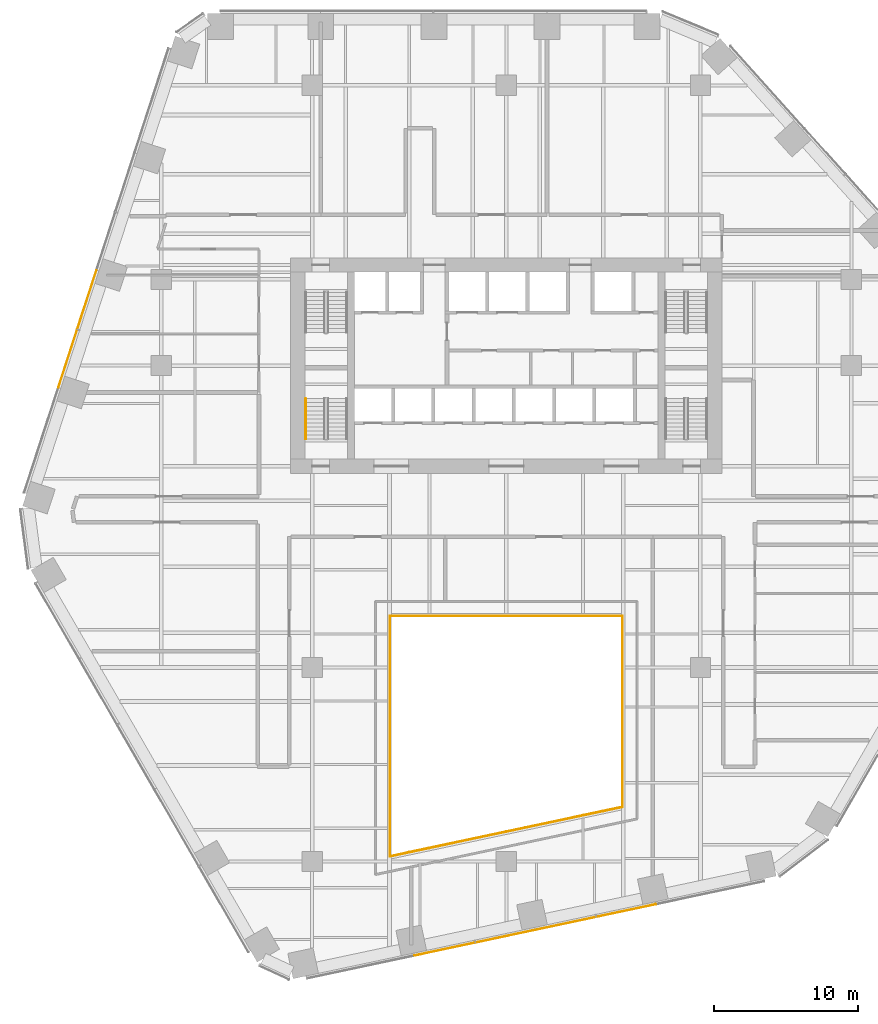
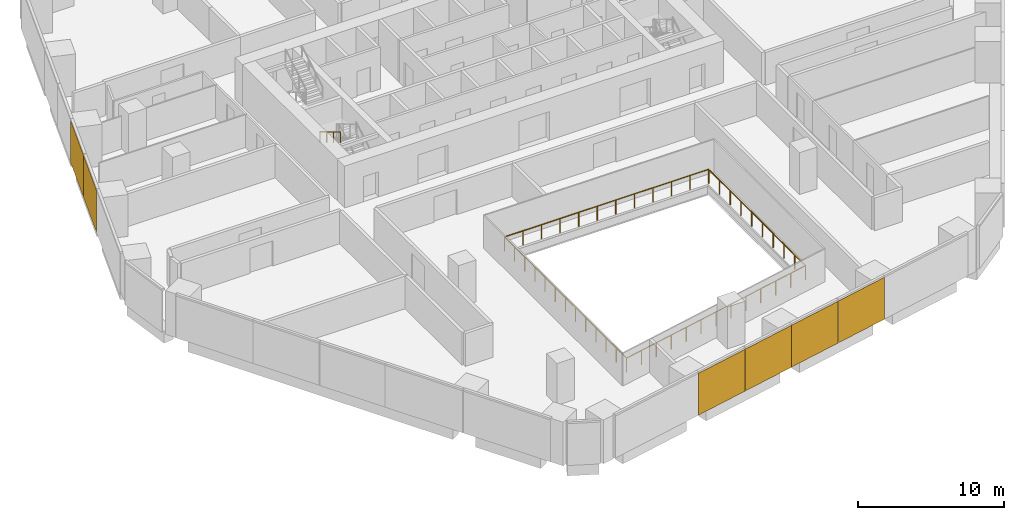
# One storey, part 18 of 20: 6 coverings, 5 railings, 2 elements without a shape of their own.
"""IFC4 building model written with IfcOpenShell, lengths in metres."""

from ifc_helpers import new_model, si_unit, direction, frame, origin, origin_2d, place, context, subcontext, project, spatial, rectangle, circle, extrude, material, layer, layer_set, type_object, element, aggregate, save


model = new_model("IFC4")

# Units and contexts
model_context = context("Model", 3, precision=1e-05, world=origin(), true_north=direction((0.0, 1.0)))
body_context = subcontext(model_context, "Body", "Model", "MODEL_VIEW")
ifc_project = project(units=[si_unit("LENGTHUNIT", "METRE"), si_unit("AREAUNIT", "SQUARE_METRE"), si_unit("VOLUMEUNIT", "CUBIC_METRE"), si_unit("PLANEANGLEUNIT", "RADIAN"), si_unit("MASSUNIT", "GRAM", prefix="KILO")], contexts=[model_context])

# Site, building, storey
site_placement = place(None, origin())
site = spatial("IfcSite", under=ifc_project, at=site_placement, CompositionType="ELEMENT")
building_placement = place(site_placement, origin())
building = spatial("IfcBuilding", under=site, at=building_placement, Name="Isthmus Gate Tower", CompositionType="ELEMENT")
storey_placement = place(building_placement, frame((0.0, 0.0, 61.550048828125)))
storey = spatial("IfcBuildingStorey", under=building, at=storey_placement, Name="L13", CompositionType="ELEMENT", Elevation=61.550048828125)

# Railings
ifc_material_1 = material(Name="Laminated toughened glass balustrade with steel rail", Category="steel")
railing_type_1 = type_object("IfcRailingType", Name="ATRIUM GUARD GLASS BALUSTRADE 1200", PredefinedType="GUARDRAIL", material=ifc_material_1)
railing_1_placement = place(storey_placement, frame((-8.080078125, -26.642822265625, 0.0)))
element("IfcRailing", 1, at=railing_1_placement, inside=storey, type_object=railing_type_1, Name="L13 atrium guard", PredefinedType="GUARDRAIL", context=body_context, shape_type="SweptSolid", body=[
    extrude(circle(Radius=0.02490234375, at=origin_2d()), frame((0.0, 0.0, 1.1748046875), z_axis=(0.0, 1.0, 0.0), x_axis=(-1.0, 0.0, 0.0)), (0.0, 0.0, 1.0), 16.722900390625),
    extrude(circle(Radius=0.02490234375, at=origin_2d()), origin(), (0.0, 0.0, 1.0), 1.14990234375),
    extrude(circle(Radius=0.02490234375, at=origin_2d()), frame((0.0, 1.3935546875, 0.0)), (0.0, 0.0, 1.0), 1.14990234375),
    extrude(circle(Radius=0.02490234375, at=origin_2d()), frame((0.0, 2.787109375, 0.0)), (0.0, 0.0, 1.0), 1.14990234375),
    extrude(circle(Radius=0.02490234375, at=origin_2d()), frame((0.0, 4.1806640625, 0.0)), (0.0, 0.0, 1.0), 1.14990234375),
    extrude(circle(Radius=0.02490234375, at=origin_2d()), frame((0.0, 5.57421875, 0.0)), (0.0, 0.0, 1.0), 1.14990234375),
    extrude(circle(Radius=0.02490234375, at=origin_2d()), frame((0.0, 6.9677734375, 0.0)), (0.0, 0.0, 1.0), 1.14990234375),
    extrude(circle(Radius=0.02490234375, at=origin_2d()), frame((0.0, 8.361328125, 0.0)), (0.0, 0.0, 1.0), 1.14990234375),
    extrude(circle(Radius=0.02490234375, at=origin_2d()), frame((0.0, 9.755126953125, 0.0)), (0.0, 0.0, 1.0), 1.14990234375),
    extrude(circle(Radius=0.02490234375, at=origin_2d()), frame((0.0, 11.148681640625, 0.0)), (0.0, 0.0, 1.0), 1.14990234375),
    extrude(circle(Radius=0.02490234375, at=origin_2d()), frame((0.0, 12.542236328125, 0.0)), (0.0, 0.0, 1.0), 1.14990234375),
    extrude(circle(Radius=0.02490234375, at=origin_2d()), frame((0.0, 13.935791015625, 0.0)), (0.0, 0.0, 1.0), 1.14990234375),
    extrude(circle(Radius=0.02490234375, at=origin_2d()), frame((0.0, 15.329345703125, 0.0)), (0.0, 0.0, 1.0), 1.14990234375),
    extrude(circle(Radius=0.02490234375, at=origin_2d()), frame((0.0, 16.722900390625, 0.0)), (0.0, 0.0, 1.0), 1.14990234375),
])
railing_2_placement = place(storey_placement, frame((-8.080078125, -9.919921875, 0.0)))
element("IfcRailing", 2, at=railing_2_placement, inside=storey, type_object=railing_type_1, Name="L13 atrium guard", PredefinedType="GUARDRAIL", context=body_context, shape_type="SweptSolid", body=[
    extrude(circle(Radius=0.02490234375, at=origin_2d()), frame((0.0, 0.0, 1.1748046875), z_axis=(1.0, 0.0, 0.0), x_axis=(0.0, 1.0, 0.0)), (0.0, 0.0, 1.0), 16.16015625),
    extrude(circle(Radius=0.02490234375, at=origin_2d()), origin(), (0.0, 0.0, 1.0), 1.14990234375),
    extrude(circle(Radius=0.02490234375, at=origin_2d()), frame((1.468994140625, 0.0, 0.0)), (0.0, 0.0, 1.0), 1.14990234375),
    extrude(circle(Radius=0.02490234375, at=origin_2d()), frame((2.938232421875, 0.0, 0.0)), (0.0, 0.0, 1.0), 1.14990234375),
    extrude(circle(Radius=0.02490234375, at=origin_2d()), frame((4.4072265625, 0.0, 0.0)), (0.0, 0.0, 1.0), 1.14990234375),
    extrude(circle(Radius=0.02490234375, at=origin_2d()), frame((5.87646484375, 0.0, 0.0)), (0.0, 0.0, 1.0), 1.14990234375),
    extrude(circle(Radius=0.02490234375, at=origin_2d()), frame((7.345458984375, 0.0, 0.0)), (0.0, 0.0, 1.0), 1.14990234375),
    extrude(circle(Radius=0.02490234375, at=origin_2d()), frame((8.814697265625, 0.0, 0.0)), (0.0, 0.0, 1.0), 1.14990234375),
    extrude(circle(Radius=0.02490234375, at=origin_2d()), frame((10.28369140625, 0.0, 0.0)), (0.0, 0.0, 1.0), 1.14990234375),
    extrude(circle(Radius=0.02490234375, at=origin_2d()), frame((11.7529296875, 0.0, 0.0)), (0.0, 0.0, 1.0), 1.14990234375),
    extrude(circle(Radius=0.02490234375, at=origin_2d()), frame((13.221923828125, 0.0, 0.0)), (0.0, 0.0, 1.0), 1.14990234375),
    extrude(circle(Radius=0.02490234375, at=origin_2d()), frame((14.691162109375, 0.0, 0.0)), (0.0, 0.0, 1.0), 1.14990234375),
    extrude(circle(Radius=0.02490234375, at=origin_2d()), frame((16.16015625, 0.0, 0.0)), (0.0, 0.0, 1.0), 1.14990234375),
])
railing_3_placement = place(storey_placement, frame((8.080078125, -9.919921875, 0.0)))
element("IfcRailing", 3, at=railing_3_placement, inside=storey, type_object=railing_type_1, Name="L13 atrium guard", PredefinedType="GUARDRAIL", context=body_context, shape_type="SweptSolid", body=[
    extrude(circle(Radius=0.02490234375, at=origin_2d()), frame((0.0, 0.0, 1.1748046875), z_axis=(0.0, -1.0, 0.0), x_axis=(1.0, 0.0, 0.0)), (0.0, 0.0, 1.0), 13.2880859375),
    extrude(circle(Radius=0.02490234375, at=origin_2d()), origin(), (0.0, 0.0, 1.0), 1.14990234375),
    extrude(circle(Radius=0.02490234375, at=origin_2d()), frame((0.0, -1.4765625, 0.0)), (0.0, 0.0, 1.0), 1.14990234375),
    extrude(circle(Radius=0.02490234375, at=origin_2d()), frame((0.0, -2.952880859375, 0.0)), (0.0, 0.0, 1.0), 1.14990234375),
    extrude(circle(Radius=0.02490234375, at=origin_2d()), frame((0.0, -4.429443359375, 0.0)), (0.0, 0.0, 1.0), 1.14990234375),
    extrude(circle(Radius=0.02490234375, at=origin_2d()), frame((0.0, -5.90576171875, 0.0)), (0.0, 0.0, 1.0), 1.14990234375),
    extrude(circle(Radius=0.02490234375, at=origin_2d()), frame((0.0, -7.38232421875, 0.0)), (0.0, 0.0, 1.0), 1.14990234375),
    extrude(circle(Radius=0.02490234375, at=origin_2d()), frame((0.0, -8.858642578125, 0.0)), (0.0, 0.0, 1.0), 1.14990234375),
    extrude(circle(Radius=0.02490234375, at=origin_2d()), frame((0.0, -10.335205078125, 0.0)), (0.0, 0.0, 1.0), 1.14990234375),
    extrude(circle(Radius=0.02490234375, at=origin_2d()), frame((0.0, -11.8115234375, 0.0)), (0.0, 0.0, 1.0), 1.14990234375),
    extrude(circle(Radius=0.02490234375, at=origin_2d()), frame((0.0, -13.2880859375, 0.0)), (0.0, 0.0, 1.0), 1.14990234375),
])
railing_4_placement = place(storey_placement, frame((8.080078125, -23.2080078125, 0.0)))
element("IfcRailing", 4, at=railing_4_placement, inside=storey, type_object=railing_type_1, Name="L13 atrium guard", PredefinedType="GUARDRAIL", context=body_context, shape_type="SweptSolid", body=[
    extrude(circle(Radius=0.02490234375, at=origin_2d()), frame((0.0, 0.0, 1.1748046875), z_axis=(-0.978149235358, -0.207904000366, 0.0), x_axis=(0.207904000366, -0.978149235358, 0.0)), (0.0, 0.0, 1.0), 16.521240234375),
    extrude(circle(Radius=0.02490234375, at=origin_2d()), origin(), (0.0, 0.0, 1.0), 1.14990234375),
    extrude(circle(Radius=0.02490234375, at=origin_2d()), frame((-1.3466796875, -0.2861328125, 0.0)), (0.0, 0.0, 1.0), 1.14990234375),
    extrude(circle(Radius=0.02490234375, at=origin_2d()), frame((-2.693359375, -0.572509765625, 0.0)), (0.0, 0.0, 1.0), 1.14990234375),
    extrude(circle(Radius=0.02490234375, at=origin_2d()), frame((-4.0400390625, -0.858642578125, 0.0)), (0.0, 0.0, 1.0), 1.14990234375),
    extrude(circle(Radius=0.02490234375, at=origin_2d()), frame((-5.38671875, -1.14501953125, 0.0)), (0.0, 0.0, 1.0), 1.14990234375),
    extrude(circle(Radius=0.02490234375, at=origin_2d()), frame((-6.7333984375, -1.43115234375, 0.0)), (0.0, 0.0, 1.0), 1.14990234375),
    extrude(circle(Radius=0.02490234375, at=origin_2d()), frame((-8.080078125, -1.71728515625, 0.0)), (0.0, 0.0, 1.0), 1.14990234375),
    extrude(circle(Radius=0.02490234375, at=origin_2d()), frame((-9.4267578125, -2.003662109375, 0.0)), (0.0, 0.0, 1.0), 1.14990234375),
    extrude(circle(Radius=0.02490234375, at=origin_2d()), frame((-10.7734375, -2.289794921875, 0.0)), (0.0, 0.0, 1.0), 1.14990234375),
    extrude(circle(Radius=0.02490234375, at=origin_2d()), frame((-12.1201171875, -2.576171875, 0.0)), (0.0, 0.0, 1.0), 1.14990234375),
    extrude(circle(Radius=0.02490234375, at=origin_2d()), frame((-13.466796875, -2.8623046875, 0.0)), (0.0, 0.0, 1.0), 1.14990234375),
    extrude(circle(Radius=0.02490234375, at=origin_2d()), frame((-14.8134765625, -3.148681640625, 0.0)), (0.0, 0.0, 1.0), 1.14990234375),
    extrude(circle(Radius=0.02490234375, at=origin_2d()), frame((-16.16015625, -3.434814453125, 0.0)), (0.0, 0.0, 1.0), 1.14990234375),
])

# Curtain wall, coverings
ifc_material_2 = material(Name="Aluminium, pale champagne anodised", Category="aluminium")
ifc_layer_1 = layer(ifc_material_2, 0.199951171875)
ifc_layer_set_1 = layer_set([ifc_layer_1], Name="CW-1 UNITISED CURTAIN WALL 200 DEEP")
curtain_wall_type = type_object("IfcCurtainWallType", Name="CW-1 UNITISED CURTAIN WALL 200 DEEP", PredefinedType="NOTDEFINED", material=ifc_layer_set_1)
curtain_wall_1_placement = place(storey_placement, origin())
curtain_wall_1 = element("IfcCurtainWall", 5, at=curtain_wall_1_placement, inside=storey, type_object=curtain_wall_type, Name="CW-1 NW L13", PredefinedType="NOTDEFINED")
ifc_material_3 = material(Name="Aluminium composite panel, pale champagne anodised", Category="aluminium")
ifc_layer_2 = layer(ifc_material_3, 0.0400390625)
ifc_layer_set_2 = layer_set([ifc_layer_2], Name="CW-1 PALE METAL PANEL 40")
covering_type = type_object("IfcCoveringType", Name="CW-1 PALE METAL PANEL 40", PredefinedType="CLADDING", material=ifc_layer_set_2)
covering_1_placement = place(storey_placement, frame((-29.17236328125, 12.09033203125, 0.0), z_axis=(0.0, 0.0, 1.0), x_axis=(-0.309016994375, -0.951056516295, 0.0)))
covering_1 = element("IfcCovering", 6, at=covering_1_placement, type_object=covering_type, Name="CW-1 pale metal panel", PredefinedType="CLADDING", context=body_context, shape_type="SweptSolid", body=[
    extrude(rectangle(XDim=4.294677734375, YDim=0.0400390625, at=origin_2d()), origin(), (0.0, 0.0, 1.0), 3.5),
])
covering_2_placement = place(storey_placement, frame((-30.5087890625, 7.9775390625, 0.0), z_axis=(0.0, 0.0, 1.0), x_axis=(-0.309016994375, -0.951056516295, 0.0)))
covering_2 = element("IfcCovering", 7, at=covering_2_placement, type_object=covering_type, Name="CW-1 pale metal panel", PredefinedType="CLADDING", context=body_context, shape_type="SweptSolid", body=[
    extrude(rectangle(XDim=4.234619140625, YDim=0.0400390625, at=origin_2d()), origin(), (0.0, 0.0, 1.0), 3.5),
])
aggregate(curtain_wall_1, [covering_1, covering_2])

curtain_wall_2_placement = place(storey_placement, origin())
curtain_wall_2 = element("IfcCurtainWall", 8, at=curtain_wall_2_placement, inside=storey, type_object=curtain_wall_type, Name="CW-1 S L13", PredefinedType="NOTDEFINED")
covering_3_placement = place(storey_placement, frame((-4.2861328125, -33.094970703125, 0.0), z_axis=(0.0, 0.0, 1.0), x_axis=(0.978147600734, 0.207911690818, 0.0)))
covering_3 = element("IfcCovering", 9, at=covering_3_placement, type_object=covering_type, Name="CW-1 pale metal panel", PredefinedType="CLADDING", context=body_context, shape_type="SweptSolid", body=[
    extrude(rectangle(XDim=4.294677734375, YDim=0.0400390625, at=origin_2d()), origin(), (0.0, 0.0, 1.0), 3.5),
])
covering_4_placement = place(storey_placement, frame((-0.055908203125, -32.19580078125, 0.0), z_axis=(0.0, 0.0, 1.0), x_axis=(0.978147600734, 0.207911690818, 0.0)))
covering_4 = element("IfcCovering", 10, at=covering_4_placement, type_object=covering_type, Name="CW-1 pale metal panel", PredefinedType="CLADDING", context=body_context, shape_type="SweptSolid", body=[
    extrude(rectangle(XDim=4.234619140625, YDim=0.0400390625, at=origin_2d()), origin(), (0.0, 0.0, 1.0), 3.5),
])
covering_5_placement = place(storey_placement, frame((4.115478515625, -31.309326171875, 0.0), z_axis=(0.0, 0.0, 1.0), x_axis=(0.978147600734, 0.207911690818, 0.0)))
covering_5 = element("IfcCovering", 11, at=covering_5_placement, type_object=covering_type, Name="CW-1 pale metal panel", PredefinedType="CLADDING", context=body_context, shape_type="SweptSolid", body=[
    extrude(rectangle(XDim=4.294677734375, YDim=0.0400390625, at=origin_2d()), origin(), (0.0, 0.0, 1.0), 3.5),
])
covering_6_placement = place(storey_placement, frame((8.345703125, -30.41015625, 0.0), z_axis=(0.0, 0.0, 1.0), x_axis=(0.978147600734, 0.207911690818, 0.0)))
covering_6 = element("IfcCovering", 12, at=covering_6_placement, type_object=covering_type, Name="CW-1 pale metal panel", PredefinedType="CLADDING", context=body_context, shape_type="SweptSolid", body=[
    extrude(rectangle(XDim=4.234619140625, YDim=0.0400390625, at=origin_2d()), origin(), (0.0, 0.0, 1.0), 3.5),
])
aggregate(curtain_wall_2, [covering_3, covering_4, covering_5, covering_6])

# Railing
ifc_material_4 = material(Name="Stainless steel handrail", Category="steel")
railing_type_2 = type_object("IfcRailingType", Name="STAIR HANDRAIL 900", PredefinedType="HANDRAIL", material=ifc_material_4)
railing_5_placement = place(storey_placement, frame((-13.949951171875, 5.199951171875, 1.990966796875)))
element("IfcRailing", 13, at=railing_5_placement, inside=storey, type_object=railing_type_2, Name="L13 ST7 stair handrail 2", PredefinedType="HANDRAIL", context=body_context, shape_type="SweptSolid", body=[
    extrude(circle(Radius=0.02392578125, at=origin_2d()), frame((0.0, 0.0, 0.8759765625), z_axis=(0.0, -0.860339051648, 0.50972219513), x_axis=(1.0, 0.0, 0.0)), (0.0, 0.0, 1.0), 3.254638671875),
    extrude(circle(Radius=0.02099609375, at=origin_2d()), origin(), (0.0, 0.0, 1.0), 0.851806640625),
    extrude(circle(Radius=0.02099609375, at=origin_2d()), frame((0.0, -0.933349609375, 0.552978515625)), (0.0, 0.0, 1.0), 0.851806640625),
    extrude(circle(Radius=0.02099609375, at=origin_2d()), frame((0.0, -1.86669921875, 1.10595703125)), (0.0, 0.0, 1.0), 0.851806640625),
    extrude(circle(Radius=0.02099609375, at=origin_2d()), frame((0.0, -2.800048828125, 1.658935546875)), (0.0, 0.0, 1.0), 0.851806640625),
])

save(model, "model.ifc")
